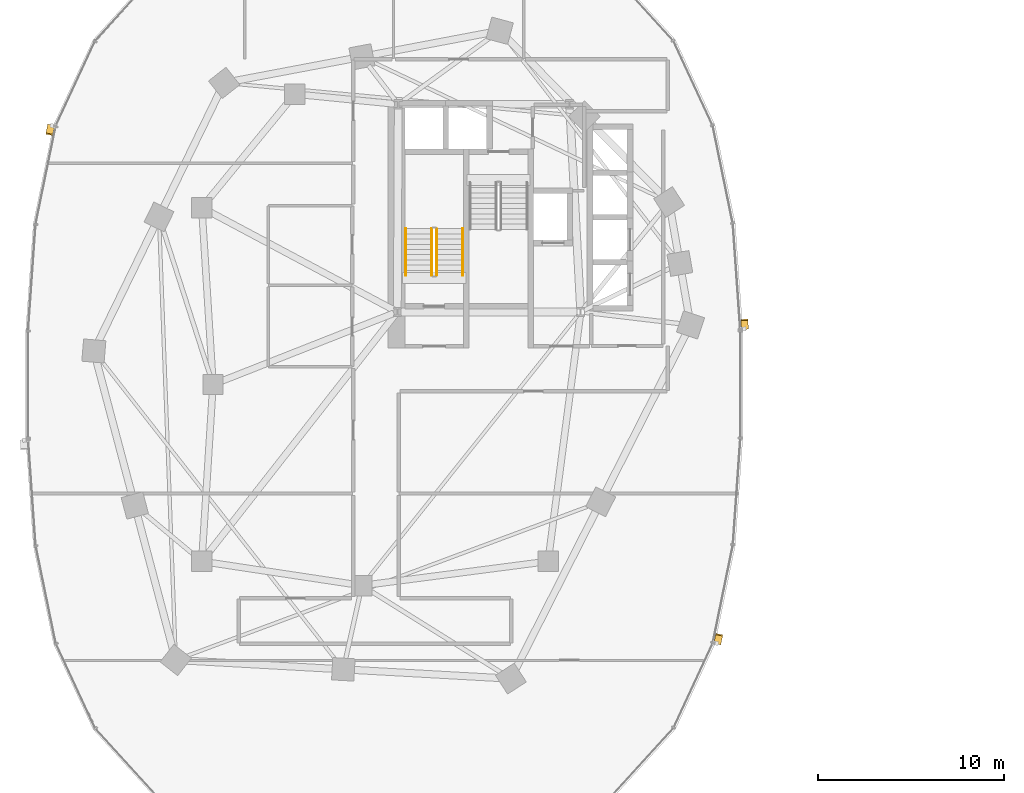
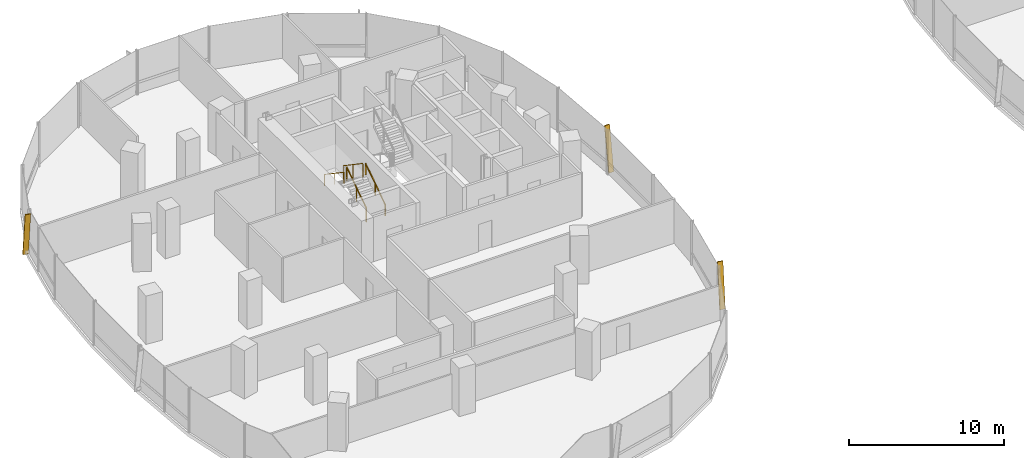
# One storey, part 18 of 21: 4 railings, 3 shading devices.
"""IFC4 building model written with IfcOpenShell, lengths in metres."""

import ifcopenshell
import ifcopenshell.guid

model = None  # the IFC model being written
_history = None  # IfcOwnerHistory: only IFC2X3 demands one
_inside = {}  # id of a spatial element -> (the spatial element, [elements in it])
_under = {}  # id of a project, library or spatial element -> (it, [spatial elements below it])
_declared = {}  # id of a project -> (the project, [libraries it declares])
_typed = {}  # id of a type object -> (the type object, [elements of that type])
_made_of = {}  # id of a material, layer set ... -> (it, [elements and type objects made of it])


def new_model(schema):
    """Start an empty IFC model of exactly this schema.

    Asked for "IFC4X3", IfcOpenShell would pick the latest addendum, in which some entities
    have other attributes; the version numbers below select the first issue.
    IFC2X3 requires an IfcOwnerHistory on every rooted entity: one is made here for all.
    """
    global model, _history
    if schema == "IFC4X3":
        model = ifcopenshell.file(schema_version=(4, 3, 0, 0))
    else:
        model = ifcopenshell.file(schema=schema)
    _inside.clear()
    _under.clear()
    _declared.clear()
    _typed.clear()
    _made_of.clear()
    _history = None
    if model.schema == "IFC2X3":
        org = make("IfcOrganization", Name="unknown")
        user = make(
            "IfcPersonAndOrganization",
            ThePerson=make("IfcPerson", FamilyName="unknown"),
            TheOrganization=org,
        )
        app = make(
            "IfcApplication",
            ApplicationDeveloper=org,
            Version="unknown",
            ApplicationFullName="unknown",
            ApplicationIdentifier="unknown",
        )
        _history = make(
            "IfcOwnerHistory",
            OwningUser=user,
            OwningApplication=app,
            ChangeAction="ADDED",
            CreationDate=0,
        )
    return model


def make(cls, **values):
    """One entity of the class cls with the attributes given. An attribute that is None is left unset."""
    return model.create_entity(
        cls, **{name: value for name, value in values.items() if value is not None}
    )


def rooted(cls, **values):
    """An entity with a GlobalId (a new one), such as an element, a storey or a relation."""
    return make(cls, GlobalId=ifcopenshell.guid.new(), OwnerHistory=_history, **values)


def si_unit(unit_type, name, prefix=None):
    """IfcSIUnit, for example si_unit("LENGTHUNIT", "METRE", prefix="MILLI")."""
    return make("IfcSIUnit", UnitType=unit_type, Prefix=prefix, Name=name)


def assignment(units):
    """IfcUnitAssignment: the units of a project."""
    return None if units is None else make("IfcUnitAssignment", Units=units)


def point(xyz):
    """IfcCartesianPoint."""
    return None if xyz is None else make("IfcCartesianPoint", Coordinates=xyz)


def direction(xyz):
    """IfcDirection."""
    return None if xyz is None else make("IfcDirection", DirectionRatios=xyz)


def frame(location, z_axis=None, x_axis=None):
    """IfcAxis2Placement3D, a coordinate frame: its origin and axes. An axis left out is left unset."""
    return make(
        "IfcAxis2Placement3D",
        Location=point(location),
        Axis=direction(z_axis),
        RefDirection=direction(x_axis),
    )


def frame_2d(location, x_axis=None):
    """IfcAxis2Placement2D, a coordinate frame in the plane: its origin and x axis."""
    return make(
        "IfcAxis2Placement2D", Location=point(location), RefDirection=direction(x_axis)
    )


def origin():
    """The frame at (0, 0, 0) with its axes left unset."""
    return frame((0.0, 0.0, 0.0))


def origin_2d():
    """The frame at (0, 0) in the plane with its x axis left unset."""
    return frame_2d((0.0, 0.0))


def place(relative_to, where):
    """IfcLocalPlacement: puts the frame where relative to a parent placement (None: the world)."""
    return make(
        "IfcLocalPlacement", PlacementRelTo=relative_to, RelativePlacement=where
    )


def context(
    kind, dimensions, precision=None, world=None, true_north=None, identifier=None
):
    """IfcGeometricRepresentationContext, for example the 3D "Model" context."""
    return make(
        "IfcGeometricRepresentationContext",
        ContextIdentifier=identifier,
        ContextType=kind,
        CoordinateSpaceDimension=dimensions,
        Precision=precision,
        WorldCoordinateSystem=world,
        TrueNorth=true_north,
    )


def subcontext(parent, identifier, kind, view, scale=None):
    """IfcGeometricRepresentationSubContext, for example "Body" below "Model"."""
    return make(
        "IfcGeometricRepresentationSubContext",
        ContextIdentifier=identifier,
        ContextType=kind,
        ParentContext=parent,
        TargetScale=scale,
        TargetView=view,
    )


def project(units=None, contexts=None):
    """IfcProject with its units and contexts."""
    return rooted(
        "IfcProject",
        Name="project",
        RepresentationContexts=contexts,
        UnitsInContext=assignment(units),
    )


def spatial(cls, under=None, at=None, **own):
    """A site, building, storey or space (cls), placed at a placement, below another one or the project."""
    s = rooted(cls, ObjectPlacement=at, **own)
    if under is not None:
        _under.setdefault(under.id(), (under, []))[1].append(s)
    return s


def profile(cls, at=None, kind="AREA", **sizes):
    """A parametric profile (cls). Its sizes go by their IFC names, for example OverallWidth=200.0."""
    return make(cls, ProfileType=kind, Position=at, **sizes)


def rectangle(**sizes):
    """IfcRectangleProfileDef."""
    return profile("IfcRectangleProfileDef", **sizes)


def extrude(swept, where, along, depth):
    """IfcExtrudedAreaSolid: the profile swept, set in the frame where, extruded along a direction by depth."""
    return make(
        "IfcExtrudedAreaSolid",
        SweptArea=swept,
        Position=where,
        ExtrudedDirection=direction(along),
        Depth=depth,
    )


def shape(context_of_items, identifier, shape_type, items):
    """IfcShapeRepresentation: the items that make up one representation, for example the "Body"."""
    return make(
        "IfcShapeRepresentation",
        ContextOfItems=context_of_items,
        RepresentationIdentifier=identifier,
        RepresentationType=shape_type,
        Items=items,
    )


def material(Name=None, Category=None):
    """IfcMaterial."""
    return make("IfcMaterial", Name=Name, Category=Category)


def material_profile(
    of_material, cross_section, Name=None, Category=None, Priority=None
):
    """IfcMaterialProfile: a cross section and its material."""
    return make(
        "IfcMaterialProfile",
        Name=Name,
        Material=of_material,
        Profile=cross_section,
        Priority=Priority,
        Category=Category,
    )


def profile_set(profiles, Name=None, composite=None):
    """IfcMaterialProfileSet."""
    return make(
        "IfcMaterialProfileSet",
        Name=Name,
        MaterialProfiles=profiles,
        CompositeProfile=composite,
    )


def made_of(thing, what):
    """Note that an element or type object is made of a material, layer set ...; save() writes the relation."""
    if what is not None:
        _made_of.setdefault(what.id(), (what, []))[1].append(thing)
    return thing


def type_object(cls, material=None, **own):
    """A type object (cls), such as IfcWallType, which elements share."""
    return made_of(rooted(cls, **own), material)


def element(
    cls,
    number,
    at=None,
    inside=None,
    cuts=None,
    type_object=None,
    material=None,
    context=None,
    identifier="Body",
    shape_type=None,
    held_by="IfcProductDefinitionShape",
    body=None,
    shapes=None,
    **own,
):
    """One element of the class cls, such as IfcWall. Its Tag is "e" and its number.

    at: its placement. inside: the storey or other place that contains it. cuts: it is an
    opening in that element (IfcRelVoidsElement). A single representation is given by context,
    identifier, shape_type and body (its items); several are given by shapes. held_by: the class
    of the entity that holds the representations. save() writes the other relations.
    """
    e = rooted(cls, Tag="e%d" % number, ObjectPlacement=at, **own)
    if body is not None:
        shapes = [shape(context, identifier, shape_type, body)]
    if shapes is not None:
        e.Representation = make(held_by, Representations=shapes)
    if inside is not None:
        _inside.setdefault(inside.id(), (inside, []))[1].append(e)
    if cuts is not None:
        rooted(
            "IfcRelVoidsElement", RelatingBuildingElement=cuts, RelatedOpeningElement=e
        )
    if type_object is not None:
        _typed.setdefault(type_object.id(), (type_object, []))[1].append(e)
    return made_of(e, material)


def aggregate(whole, parts):
    """IfcRelAggregates: a whole, such as a stair, and the parts it consists of."""
    return rooted("IfcRelAggregates", RelatingObject=whole, RelatedObjects=parts)


def save(model, path):
    """Write the relations noted so far, then the file.

    IfcRelAggregates (storeys below a building ...), IfcRelContainedInSpatialStructure (elements
    in a storey), IfcRelDefinesByType, IfcRelAssociatesMaterial and IfcRelDeclares: one each for
    every whole, place, type object, material and project.
    """
    for whole, parts in _under.values():
        aggregate(whole, parts)
    for where, things in _inside.values():
        rooted(
            "IfcRelContainedInSpatialStructure",
            RelatedElements=things,
            RelatingStructure=where,
        )
    for kind, things in _typed.values():
        rooted("IfcRelDefinesByType", RelatedObjects=things, RelatingType=kind)
    for what, things in _made_of.values():
        rooted("IfcRelAssociatesMaterial", RelatedObjects=things, RelatingMaterial=what)
    for by, libraries in _declared.values():
        rooted("IfcRelDeclares", RelatingContext=by, RelatedDefinitions=libraries)
    model.write(path)


model = new_model("IFC4")

# Units and contexts
model_context = context("Model", 3, precision=1e-05, world=origin(), true_north=direction((0.0, 1.0)))
body_context = subcontext(model_context, "Body", "Model", "MODEL_VIEW")
ifc_project = project(units=[si_unit("LENGTHUNIT", "METRE"), si_unit("AREAUNIT", "SQUARE_METRE"), si_unit("VOLUMEUNIT", "CUBIC_METRE"), si_unit("PLANEANGLEUNIT", "RADIAN"), si_unit("MASSUNIT", "GRAM", prefix="KILO"), si_unit("THERMODYNAMICTEMPERATUREUNIT", "KELVIN"), si_unit("POWERUNIT", "WATT")], contexts=[model_context])

# Site, building, storey
site_placement = place(None, origin())
site = spatial("IfcSite", under=ifc_project, at=site_placement, CompositionType="ELEMENT")
building_placement = place(site_placement, origin())
building = spatial("IfcBuilding", under=site, at=building_placement, Name="Cundina Bronze Exchange", CompositionType="ELEMENT")
storey_placement = place(building_placement, frame((0.0, 0.0, 62.0)))
storey = spatial("IfcBuildingStorey", under=building, at=storey_placement, Name="L15", CompositionType="ELEMENT", Elevation=62.0)

# Railings
ifc_material_1 = material(Name="Steel ASTM A36 Painted", Category="steel")
railing_type_1 = type_object("IfcRailingType", Name="RLG-HND-900", PredefinedType="HANDRAIL", material=ifc_material_1)
railing_1_placement = place(storey_placement, frame((-27.7900390625, 5.85009765625, 0.18994140625)))
element("IfcRailing", 1, at=railing_1_placement, inside=storey, type_object=railing_type_1, Name="L15 ST-W1 stair handrail 1", PredefinedType="HANDRAIL", context=body_context, shape_type="SweptSolid", body=[
    extrude(rectangle(XDim=0.048095703125, YDim=0.048095703125, at=origin_2d()), frame((0.0, 0.0, 0.8759765625), z_axis=(0.0, 0.827483756001, 0.561489655786), x_axis=(-1.0, 0.0, 0.0)), (0.0, 0.0, 1.0), 3.04541015625),
    extrude(rectangle(XDim=0.0419921875, YDim=0.0419921875, at=origin_2d()), origin(), (0.0, 0.0, 1.0), 0.851806640625),
    extrude(rectangle(XDim=0.0419921875, YDim=0.0419921875, at=origin_2d()), frame((0.0, 1.260009765625, 0.85498046875)), (0.0, 0.0, 1.0), 0.851806640625),
    extrude(rectangle(XDim=0.0419921875, YDim=0.0419921875, at=origin_2d()), frame((0.0, 2.52001953125, 1.7099609375)), (0.0, 0.0, 1.0), 0.851806640625),
])
railing_2_placement = place(storey_placement, frame((-30.85009765625, 8.3701171875, 2.090087890625)))
element("IfcRailing", 2, at=railing_2_placement, inside=storey, type_object=railing_type_1, Name="L15 ST-W1 stair handrail 2", PredefinedType="HANDRAIL", context=body_context, shape_type="SweptSolid", body=[
    extrude(rectangle(XDim=0.048095703125, YDim=0.048095703125, at=origin_2d()), frame((0.0, 0.0, 0.8759765625), z_axis=(0.0, -0.827483756001, 0.561489655786), x_axis=(1.0, 0.0, 0.0)), (0.0, 0.0, 1.0), 3.04541015625),
    extrude(rectangle(XDim=0.0419921875, YDim=0.0419921875, at=origin_2d()), origin(), (0.0, 0.0, 1.0), 0.851806640625),
    extrude(rectangle(XDim=0.0419921875, YDim=0.0419921875, at=origin_2d()), frame((0.0, -1.260009765625, 0.85498046875)), (0.0, 0.0, 1.0), 0.851806640625),
    extrude(rectangle(XDim=0.0419921875, YDim=0.0419921875, at=origin_2d()), frame((0.0, -2.52001953125, 1.7099609375)), (0.0, 0.0, 1.0), 0.851806640625),
])
railing_type_2 = type_object("IfcRailingType", Name="RLG-STG-1100", PredefinedType="GUARDRAIL", material=ifc_material_1)
railing_3_placement = place(storey_placement, frame((-29.18994140625, 5.85009765625, 0.18994140625)))
element("IfcRailing", 3, at=railing_3_placement, inside=storey, type_object=railing_type_2, Name="L15 ST-W1 stair guard 1", PredefinedType="GUARDRAIL", context=body_context, shape_type="SweptSolid", body=[
    extrude(rectangle(XDim=0.048095703125, YDim=0.048095703125, at=origin_2d()), frame((0.0, 0.0, 1.076171875), z_axis=(0.0, 0.827483756001, 0.561489655786), x_axis=(-1.0, 0.0, 0.0)), (0.0, 0.0, 1.0), 3.04541015625),
    extrude(rectangle(XDim=0.0419921875, YDim=0.0419921875, at=origin_2d()), origin(), (0.0, 0.0, 1.0), 1.052001953125),
    extrude(rectangle(XDim=0.0419921875, YDim=0.0419921875, at=origin_2d()), frame((0.0, 1.260009765625, 0.85498046875)), (0.0, 0.0, 1.0), 1.052001953125),
    extrude(rectangle(XDim=0.0419921875, YDim=0.0419921875, at=origin_2d()), frame((0.0, 2.52001953125, 1.7099609375)), (0.0, 0.0, 1.0), 1.052001953125),
])
railing_4_placement = place(storey_placement, frame((-29.449951171875, 8.3701171875, 2.090087890625)))
element("IfcRailing", 4, at=railing_4_placement, inside=storey, type_object=railing_type_2, Name="L15 ST-W1 stair guard 3", PredefinedType="GUARDRAIL", context=body_context, shape_type="SweptSolid", body=[
    extrude(rectangle(XDim=0.048095703125, YDim=0.048095703125, at=origin_2d()), frame((0.0, 0.0, 1.076171875), z_axis=(0.0, -0.827483756001, 0.561489655786), x_axis=(1.0, 0.0, 0.0)), (0.0, 0.0, 1.0), 3.04541015625),
    extrude(rectangle(XDim=0.0419921875, YDim=0.0419921875, at=origin_2d()), origin(), (0.0, 0.0, 1.0), 1.052001953125),
    extrude(rectangle(XDim=0.0419921875, YDim=0.0419921875, at=origin_2d()), frame((0.0, -1.260009765625, 0.85498046875)), (0.0, 0.0, 1.0), 1.052001953125),
    extrude(rectangle(XDim=0.0419921875, YDim=0.0419921875, at=origin_2d()), frame((0.0, -2.52001953125, 1.7099609375)), (0.0, 0.0, 1.0), 1.052001953125),
])

# Shading devices
ifc_material_2 = material(Name="Anodised Bronze Aluminium 6063-T6", Category="aluminium")
ifc_material_profile = material_profile(ifc_material_2, rectangle(XDim=0.070068359375, YDim=0.3798828125, at=origin_2d()), Name="FIN70X380", Category="aluminium")
ifc_profile_set = profile_set([ifc_material_profile], Name="Anodised Bronze Aluminium 6063-T6")
shading_device_type = type_object("IfcShadingDeviceType", Name="SHD-FIN-BRZ380", PredefinedType="USERDEFINED", material=ifc_profile_set)
for number, where, z_axis, x_axis, name in (
    (5, (-12.6259765625, 2.993896484375, 0.02001953125), (-0.009645159174, 0.137059109714, 0.990515911709), (0.06953288269, -0.988072340253, 0.137398066402), "L15 Diagonal Bronze Solar Fin 1"),
    (6, (-49.89599609375, 13.911865234375, 0.02001953125), (-0.027747134956, -0.134612045151, 0.990509815096), (0.199966585563, 0.970114971774, 0.137442010309), "L15 Diagonal Bronze Solar Fin 5"),
    (7, (-14.10400390625, -13.911865234375, 0.02001953125), (0.027747134956, 0.134612045151, 0.990509815096), (-0.199966585563, -0.970114971774, 0.137442010309), "L15 Diagonal Bronze Solar Fin 5"),
):
    element("IfcShadingDevice", number, at=place(storey_placement, frame(where, z_axis=z_axis, x_axis=x_axis)), inside=storey, type_object=shading_device_type, Name=name, ObjectType="FIN", PredefinedType="USERDEFINED", context=body_context, shape_type="SweptSolid", body=[
        extrude(rectangle(XDim=0.070068359375, YDim=0.3798828125, at=origin_2d()), origin(), (0.0, 0.0, 1.0), 3.4931640625),
    ])

save(model, "model.ifc")
